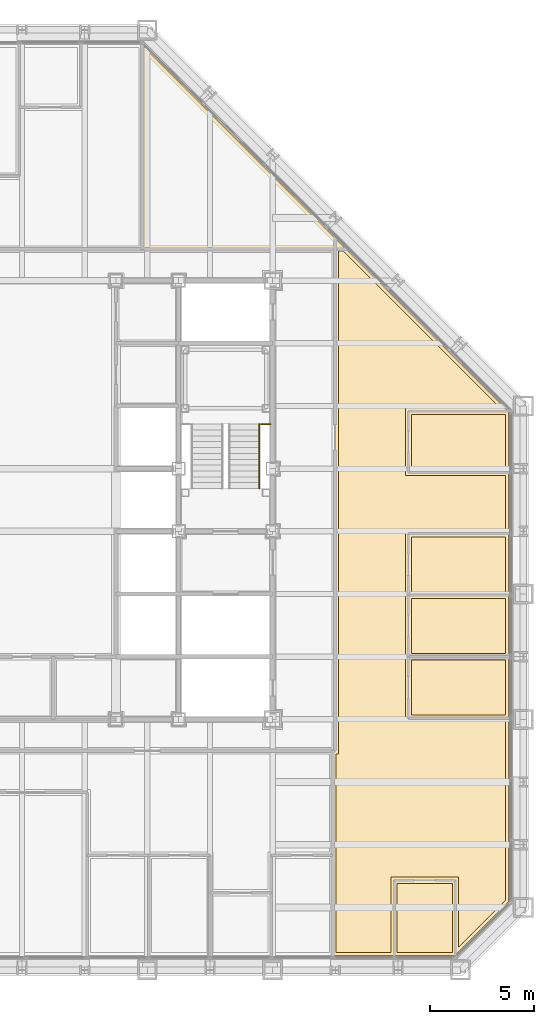
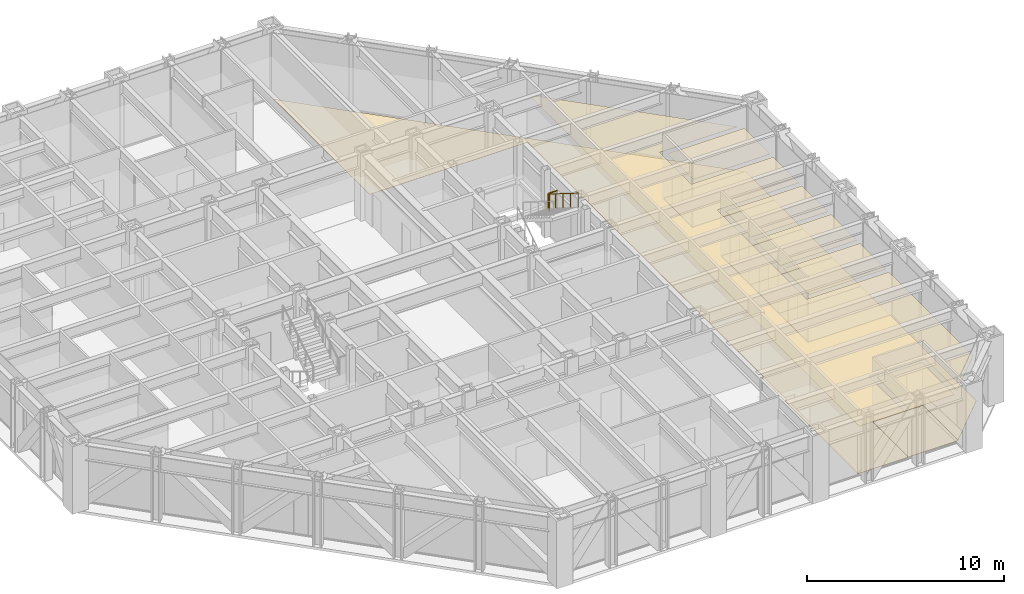
# One storey, part 15 of 16: 12 coverings, 2 railings.
"""IFC4 building model written with IfcOpenShell, lengths in metres."""

from ifc_helpers import new_model, si_unit, direction, frame, origin, origin_2d, place, context, subcontext, project, spatial, polyline, circle, outline, extrude, material, layer, layer_set, type_object, element, save


model = new_model("IFC4")

# Units and contexts
model_context = context("Model", 3, precision=1e-05, world=origin(), true_north=direction((0.0, 1.0)))
body_context = subcontext(model_context, "Body", "Model", "MODEL_VIEW")
ifc_project = project(units=[si_unit("LENGTHUNIT", "METRE"), si_unit("AREAUNIT", "SQUARE_METRE"), si_unit("VOLUMEUNIT", "CUBIC_METRE"), si_unit("PLANEANGLEUNIT", "RADIAN"), si_unit("MASSUNIT", "GRAM", prefix="KILO")], contexts=[model_context])

# Site, building, storey
site_placement = place(None, origin())
site = spatial("IfcSite", under=ifc_project, at=site_placement, CompositionType="ELEMENT")
building_placement = place(site_placement, origin())
building = spatial("IfcBuilding", under=site, at=building_placement, Name="Chuquiago Exchange Tower", CompositionType="ELEMENT")
storey_placement = place(building_placement, frame((0.0, 0.0, 148.800048828125)))
storey = spatial("IfcBuildingStorey", under=building, at=storey_placement, Name="L32", CompositionType="ELEMENT", Elevation=148.800048828125)

# Coverings
ifc_material_1 = material(Name="Mineral fibre tile, 600 x 600, on pale metal grid", Category="mineral fibre")
ifc_layer_1 = layer(ifc_material_1, 0.02001953125)
ifc_layer_set_1 = layer_set([ifc_layer_1], Name="CL1 suspended tile ceiling 20")
covering_type_1 = type_object("IfcCoveringType", Name="CL1 suspended tile ceiling 20", PredefinedType="CEILING", material=ifc_layer_set_1)
covering_1_placement = place(storey_placement, frame((0.0, 0.0, 2.800048828125)))
element("IfcCovering", 1, at=covering_1_placement, inside=storey, type_object=covering_type_1, Name="Ceiling Pantry", PredefinedType="CEILING", context=body_context, shape_type="SweptSolid", body=[
    extrude(outline(polyline([(38.963623046875, 0.85009765625), (38.963623046875, 4.14990234375), (41.6015625, 4.14990234375), (41.6015625, 0.85009765625), (38.963623046875, 0.85009765625)])), origin(), (0.0, 0.0, 1.0), 0.02001953125),
])
covering_2_placement = place(storey_placement, frame((0.0, 0.0, 2.800048828125)))
element("IfcCovering", 2, at=covering_2_placement, inside=storey, type_object=covering_type_1, Name="Ceiling Office", PredefinedType="CEILING", context=body_context, shape_type="SweptSolid", body=[
    extrude(outline(polyline([(39.64990234375, 12.212158203125), (39.64990234375, 14.85009765625), (44.14990234375, 14.85009765625), (44.14990234375, 12.212158203125), (39.64990234375, 12.212158203125)])), origin(), (0.0, 0.0, 1.0), 0.02001953125),
])
covering_3_placement = place(storey_placement, frame((0.0, 0.0, 2.800048828125)))
element("IfcCovering", 3, at=covering_3_placement, inside=storey, type_object=covering_type_1, Name="Ceiling Office", PredefinedType="CEILING", context=body_context, shape_type="SweptSolid", body=[
    extrude(outline(polyline([(39.64990234375, 15.14990234375), (39.64990234375, 17.787841796875), (44.14990234375, 17.787841796875), (44.14990234375, 15.14990234375), (39.64990234375, 15.14990234375)])), origin(), (0.0, 0.0, 1.0), 0.02001953125),
])
covering_4_placement = place(storey_placement, frame((0.0, 0.0, 2.800048828125)))
element("IfcCovering", 4, at=covering_4_placement, inside=storey, type_object=covering_type_1, Name="Ceiling Meeting room", PredefinedType="CEILING", context=body_context, shape_type="SweptSolid", body=[
    extrude(outline(polyline([(39.64990234375, 18.087890625), (39.64990234375, 20.7255859375), (44.14990234375, 20.7255859375), (44.14990234375, 18.087890625), (39.64990234375, 18.087890625)])), origin(), (0.0, 0.0, 1.0), 0.02001953125),
])
covering_5_placement = place(storey_placement, frame((0.0, 0.0, 2.800048828125)))
element("IfcCovering", 5, at=covering_5_placement, inside=storey, type_object=covering_type_1, Name="Ceiling Office", PredefinedType="CEILING", context=body_context, shape_type="SweptSolid", body=[
    extrude(outline(polyline([(44.14990234375, 23.963623046875), (39.64990234375, 23.963623046875), (39.64990234375, 26.6015625), (44.14990234375, 26.6015625), (44.14990234375, 23.963623046875)])), origin(), (0.0, 0.0, 1.0), 0.02001953125),
])
covering_6_placement = place(storey_placement, frame((0.0, 0.0, 2.800048828125)))
element("IfcCovering", 6, at=covering_6_placement, inside=storey, type_object=covering_type_1, Name="Ceiling Open office east suite", PredefinedType="CEILING", context=body_context, shape_type="SweptSolid", body=[
    extrude(outline(polyline([(36.150390625, 10.3505859375), (36.150390625, 34.4150390625), (36.383056640625, 34.4150390625), (43.896484375, 26.901611328125), (39.35009765625, 26.901611328125), (39.35009765625, 23.66357421875), (44.14990234375, 23.66357421875), (44.14990234375, 21.025634765625), (39.35009765625, 21.025634765625), (39.35009765625, 11.912109375), (44.14990234375, 11.912109375), (44.14990234375, 3.35205078125), (41.901611328125, 1.103515625), (41.901611328125, 4.449951171875), (38.66357421875, 4.449951171875), (38.66357421875, 0.85009765625), (36.026123046875, 0.85009765625), (36.026123046875, 10.35009765625), (36.150390625, 10.3505859375)])), origin(), (0.0, 0.0, 1.0), 0.02001953125),
])
ifc_material_2 = material(Name="Carpet tile, 500 x 500, on the floor slab", Category="textile")
ifc_layer_2 = layer(ifc_material_2, 0.010009765625)
ifc_layer_set_2 = layer_set([ifc_layer_2], Name="FL1 carpet tile 10")
covering_type_2 = type_object("IfcCoveringType", Name="FL1 carpet tile 10", PredefinedType="FLOORING", material=ifc_layer_set_2)
covering_7_placement = place(storey_placement, origin())
element("IfcCovering", 7, at=covering_7_placement, inside=storey, type_object=covering_type_2, Name="Floor finish Office", PredefinedType="FLOORING", context=body_context, shape_type="SweptSolid", body=[
    extrude(outline(polyline([(44.300048828125, 12.06201171875), (39.5, 12.06201171875), (39.5, 15.0), (44.300048828125, 15.0), (44.300048828125, 12.06201171875)])), origin(), (0.0, 0.0, 1.0), 0.010009765625),
])
covering_8_placement = place(storey_placement, origin())
element("IfcCovering", 8, at=covering_8_placement, inside=storey, type_object=covering_type_2, Name="Floor finish Office", PredefinedType="FLOORING", context=body_context, shape_type="SweptSolid", body=[
    extrude(outline(polyline([(44.300048828125, 15.0), (39.5, 15.0), (39.5, 17.93798828125), (44.300048828125, 17.93798828125), (44.300048828125, 15.0)])), origin(), (0.0, 0.0, 1.0), 0.010009765625),
])
covering_9_placement = place(storey_placement, origin())
element("IfcCovering", 9, at=covering_9_placement, inside=storey, type_object=covering_type_2, Name="Floor finish Meeting room", PredefinedType="FLOORING", context=body_context, shape_type="SweptSolid", body=[
    extrude(outline(polyline([(44.300048828125, 17.93798828125), (39.5, 17.93798828125), (39.5, 20.875732421875), (44.300048828125, 20.875732421875), (44.300048828125, 17.93798828125)])), origin(), (0.0, 0.0, 1.0), 0.010009765625),
])
covering_10_placement = place(storey_placement, origin())
element("IfcCovering", 10, at=covering_10_placement, inside=storey, type_object=covering_type_2, Name="Floor finish Office", PredefinedType="FLOORING", context=body_context, shape_type="SweptSolid", body=[
    extrude(outline(polyline([(44.300048828125, 26.710205078125), (44.300048828125, 23.813720703125), (39.5, 23.813720703125), (39.5, 26.75146484375), (44.258544921875, 26.75146484375), (44.300048828125, 26.710205078125)])), origin(), (0.0, 0.0, 1.0), 0.010009765625),
])
covering_11_placement = place(storey_placement, origin())
element("IfcCovering", 11, at=covering_11_placement, inside=storey, type_object=covering_type_2, Name="Floor finish Open office east suite", PredefinedType="FLOORING", context=body_context, shape_type="SweptSolid", body=[
    extrude(outline(polyline([(44.258544921875, 26.75146484375), (39.5, 26.75146484375), (39.5, 23.813720703125), (44.300048828125, 23.813720703125), (44.300048828125, 20.875732421875), (39.5, 20.875732421875), (39.5, 12.06201171875), (44.300048828125, 12.06201171875), (44.300048828125, 3.289794921875), (41.75146484375, 0.741455078125), (41.75146484375, 4.300048828125), (38.813720703125, 4.300048828125), (38.813720703125, 0.699951171875), (35.876220703125, 0.699951171875), (35.876220703125, 10.49951171875), (36.00048828125, 10.5), (36.00048828125, 34.5), (26.751953125, 34.50048828125), (26.751953125, 44.258056640625), (44.258544921875, 26.75146484375)])), origin(), (0.0, 0.0, 1.0), 0.010009765625),
])
ifc_material_3 = material(Name="Porcelain floor tile, 600 x 600, on adhesive bed", Category="ceramic")
ifc_layer_3 = layer(ifc_material_3, 0.014892578125)
ifc_layer_set_3 = layer_set([ifc_layer_3], Name="FL2 porcelain tile 15")
covering_type_3 = type_object("IfcCoveringType", Name="FL2 porcelain tile 15", PredefinedType="FLOORING", material=ifc_layer_set_3)
covering_12_placement = place(storey_placement, origin())
element("IfcCovering", 12, at=covering_12_placement, inside=storey, type_object=covering_type_3, Name="Floor finish Pantry", PredefinedType="FLOORING", context=body_context, shape_type="SweptSolid", body=[
    extrude(outline(polyline([(41.710205078125, 0.699951171875), (38.813720703125, 0.699951171875), (38.813720703125, 4.300048828125), (41.75146484375, 4.300048828125), (41.75146484375, 0.741455078125), (41.710205078125, 0.699951171875)])), origin(), (0.0, 0.0, 1.0), 0.014892578125),
])

# Railings
ifc_material_4 = material(Name="Pale metal guard with safety glass infill", Category="glass")
railing_type_1 = type_object("IfcRailingType", Name="GR1 guard 1100", PredefinedType="GUARDRAIL", material=ifc_material_4)
railing_1_placement = place(storey_placement, frame((32.445068359375, 26.1298828125, 2.099853515625)))
element("IfcRailing", 13, at=railing_1_placement, inside=storey, type_object=railing_type_1, Name="Guard ST2 L32 landing 2", PredefinedType="GUARDRAIL", context=body_context, shape_type="SweptSolid", body=[
    extrude(circle(Radius=0.02392578125, at=origin_2d()), frame((0.0, 0.0, 1.076171875), z_axis=(1.0, 0.0, 0.0), x_axis=(0.0, 1.0, 0.0)), (0.0, 0.0, 1.0), 0.454833984375),
    extrude(circle(Radius=0.02099609375, at=origin_2d()), origin(), (0.0, 0.0, 1.0), 1.052001953125),
    extrude(circle(Radius=0.02099609375, at=origin_2d()), frame((0.454833984375, 0.0, 0.0)), (0.0, 0.0, 1.0), 1.052001953125),
])
ifc_material_5 = material(Name="Pale metal handrail", Category="steel")
railing_type_2 = type_object("IfcRailingType", Name="HR1 handrail 900", PredefinedType="HANDRAIL", material=ifc_material_5)
railing_2_placement = place(storey_placement, frame((32.364990234375, 26.1298828125, 2.27490234375)))
element("IfcRailing", 14, at=railing_2_placement, inside=storey, type_object=railing_type_2, Name="Handrail ST2 L32 flight 2", PredefinedType="HANDRAIL", context=body_context, shape_type="SweptSolid", body=[
    extrude(circle(Radius=0.02392578125, at=origin_2d()), frame((0.0, 0.0, 0.8759765625), z_axis=(0.0, -0.847979421464, 0.530029150871), x_axis=(1.0, 0.0, 0.0)), (0.0, 0.0, 1.0), 3.632080078125),
    extrude(circle(Radius=0.02099609375, at=origin_2d()), origin(), (0.0, 0.0, 1.0), 0.851806640625),
    extrude(circle(Radius=0.02099609375, at=origin_2d()), frame((0.0, -0.77001953125, 0.481201171875)), (0.0, 0.0, 1.0), 0.851806640625),
    extrude(circle(Radius=0.02099609375, at=origin_2d()), frame((0.0, -1.5400390625, 0.96240234375)), (0.0, 0.0, 1.0), 0.851806640625),
    extrude(circle(Radius=0.02099609375, at=origin_2d()), frame((0.0, -2.309814453125, 1.44384765625)), (0.0, 0.0, 1.0), 0.851806640625),
    extrude(circle(Radius=0.02099609375, at=origin_2d()), frame((0.0, -3.079833984375, 1.925048828125)), (0.0, 0.0, 1.0), 0.851806640625),
])

save(model, "model.ifc")
